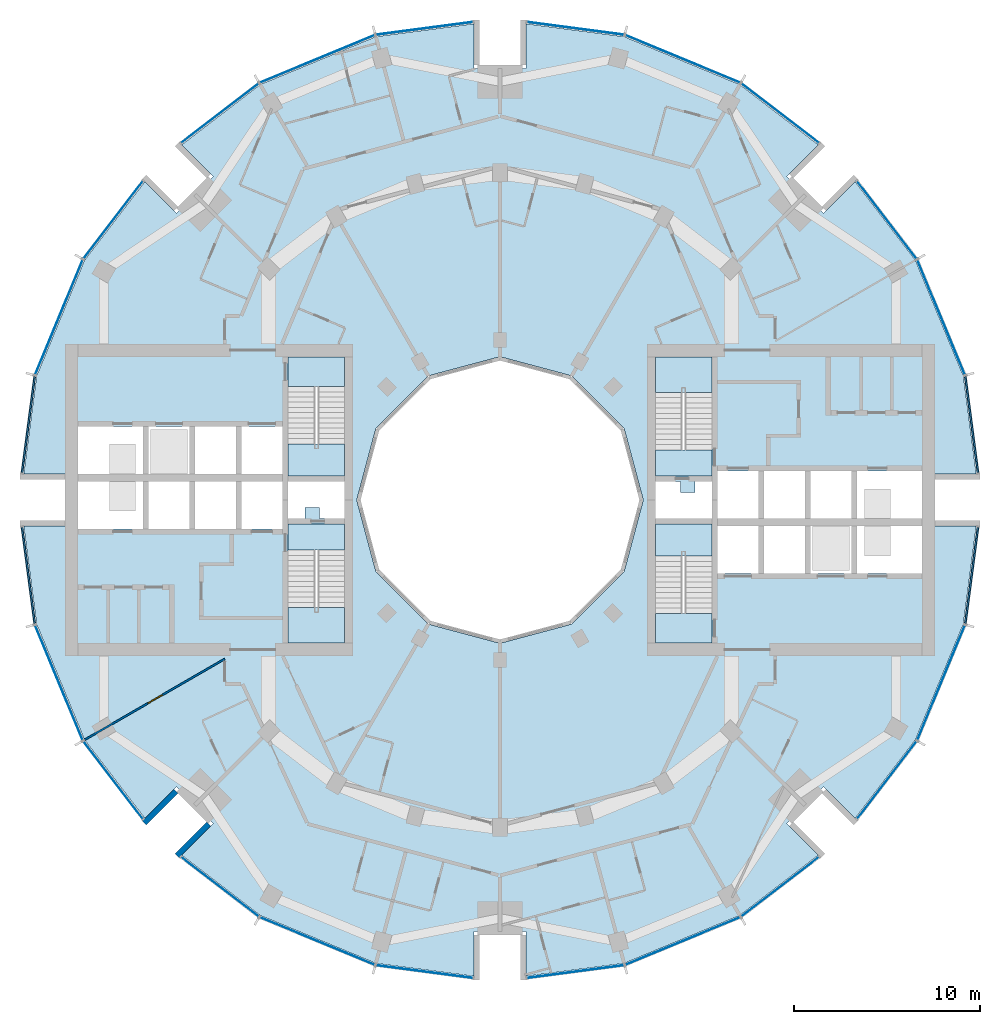
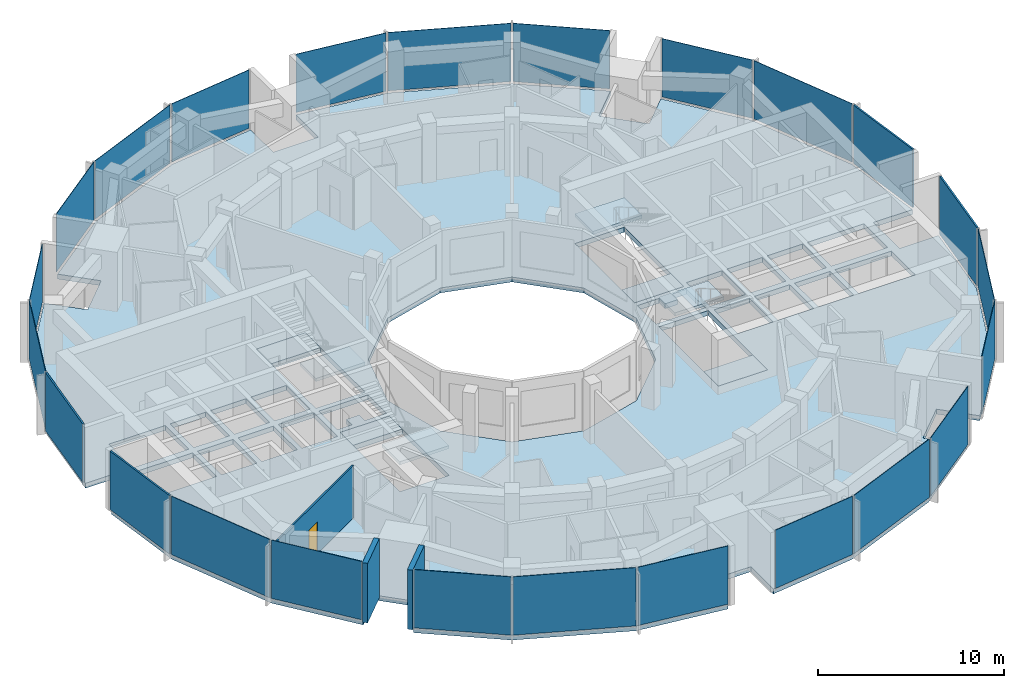
# One storey, part 7 of 15: 24 plates, 9 slabs, 3 walls, 1 door, 1 opening, 28 elements without a shape of their own.
"""IFC4 building model written with IfcOpenShell, lengths in metres."""

from ifc_helpers import new_model, si_unit, direction, frame, frame_2d, origin, origin_2d, place, context, subcontext, project, spatial, polyline, rectangle, outline, extrude, material, layer, layer_set, type_object, element, fill, aggregate, save


model = new_model("IFC4")

# Units and contexts
model_context = context("Model", 3, precision=1e-05, world=origin(), true_north=direction((0.0, 1.0)))
body_context = subcontext(model_context, "Body", "Model", "MODEL_VIEW")
ifc_project = project(units=[si_unit("LENGTHUNIT", "METRE"), si_unit("AREAUNIT", "SQUARE_METRE"), si_unit("VOLUMEUNIT", "CUBIC_METRE"), si_unit("PLANEANGLEUNIT", "RADIAN"), si_unit("MASSUNIT", "GRAM", prefix="KILO")], contexts=[model_context])

# Site, building, storey
site_placement = place(None, origin())
site = spatial("IfcSite", under=ifc_project, at=site_placement, CompositionType="ELEMENT")
building_placement = place(site_placement, origin())
building = spatial("IfcBuilding", under=site, at=building_placement, Name="Torre Brocal", CompositionType="ELEMENT")
storey_placement = place(building_placement, frame((0.0, 0.0, 126.300048828125)))
storey = spatial("IfcBuildingStorey", under=building, at=storey_placement, Name="L29", CompositionType="ELEMENT", Elevation=126.300048828125)

# Curtain wall, plate
ifc_material_1 = material(Name="Aluminium and glass", Category="aluminium")
ifc_layer_1 = layer(ifc_material_1, 0.199951171875)
ifc_layer_set_1 = layer_set([ifc_layer_1], Name="Aluminium and glass")
curtain_wall_type_1 = type_object("IfcCurtainWallType", Name="CW-1 CURTAIN WALL 3900 HIGH", PredefinedType="NOTDEFINED", material=ifc_layer_set_1)
curtain_wall_1_placement = place(storey_placement, origin())
curtain_wall_1 = element("IfcCurtainWall", 1, at=curtain_wall_1_placement, inside=storey, type_object=curtain_wall_type_1, Name="CW-1 RUN 2", PredefinedType="NOTDEFINED")
ifc_material_2 = material(Name="Glass, dark tinted laminated", Category="glass")
ifc_layer_2 = layer(ifc_material_2, 0.031982421875)
ifc_layer_set_2 = layer_set([ifc_layer_2], Name="Glass, dark tinted laminated")
plate_type_1 = type_object("IfcPlateType", Name="CW-1 GLASS PANEL 32", PredefinedType="CURTAIN_PANEL", material=ifc_layer_set_2)
plate_1_placement = place(storey_placement, frame((103.722900390625, 84.826416015625, 0.080078125), z_axis=(0.0, 0.0, 1.0), x_axis=(-0.382683432333, 0.923879532525, 0.0)))
plate_1 = element("IfcPlate", 2, at=plate_1_placement, type_object=plate_type_1, Name="CW1-3 panel 1.1", PredefinedType="CURTAIN_PANEL", context=body_context, shape_type="SweptSolid", body=[
    extrude(rectangle(XDim=6.64111328125, YDim=0.031982421875, at=origin_2d()), origin(), (0.0, 0.0, 1.0), 3.820068359375),
])
aggregate(curtain_wall_1, [plate_1])

curtain_wall_2_placement = place(storey_placement, origin())
curtain_wall_2 = element("IfcCurtainWall", 3, at=curtain_wall_2_placement, inside=storey, type_object=curtain_wall_type_1, Name="CW-1 RUN 3", PredefinedType="NOTDEFINED")
plate_2_placement = place(storey_placement, frame((100.80126953125, 90.0712890625, 0.080078125), z_axis=(0.0, 0.0, 1.0), x_axis=(-0.60876142905, 0.793353340259, 0.0)))
plate_2 = element("IfcPlate", 4, at=plate_2_placement, type_object=plate_type_1, Name="CW1-3 panel 1.1", PredefinedType="CURTAIN_PANEL", context=body_context, shape_type="SweptSolid", body=[
    extrude(rectangle(XDim=5.22900390625, YDim=0.031982421875, at=origin_2d()), origin(), (0.0, 0.0, 1.0), 3.820068359375),
])
aggregate(curtain_wall_2, [plate_2])

curtain_wall_3_placement = place(storey_placement, origin())
curtain_wall_3 = element("IfcCurtainWall", 5, at=curtain_wall_3_placement, inside=storey, type_object=curtain_wall_type_1, Name="CW-1 RUN 4", PredefinedType="NOTDEFINED")
plate_3_placement = place(storey_placement, frame((95.0712890625, 95.80126953125, 0.080078125), z_axis=(0.0, 0.0, 1.0), x_axis=(-0.793353340259, 0.60876142905, 0.0)))
plate_3 = element("IfcPlate", 6, at=plate_3_placement, type_object=plate_type_1, Name="CW1-3 panel 1.1", PredefinedType="CURTAIN_PANEL", context=body_context, shape_type="SweptSolid", body=[
    extrude(rectangle(XDim=5.22900390625, YDim=0.031982421875, at=origin_2d()), origin(), (0.0, 0.0, 1.0), 3.820068359375),
])
aggregate(curtain_wall_3, [plate_3])

curtain_wall_4_placement = place(storey_placement, origin())
curtain_wall_4 = element("IfcCurtainWall", 7, at=curtain_wall_4_placement, inside=storey, type_object=curtain_wall_type_1, Name="CW-1 RUN 5", PredefinedType="NOTDEFINED")
plate_4_placement = place(storey_placement, frame((89.826416015625, 98.722900390625, 0.080078125), z_axis=(0.0, 0.0, 1.0), x_axis=(-0.923879532525, 0.382683432333, 0.0)))
plate_4 = element("IfcPlate", 8, at=plate_4_placement, type_object=plate_type_1, Name="CW1-3 panel 1.1", PredefinedType="CURTAIN_PANEL", context=body_context, shape_type="SweptSolid", body=[
    extrude(rectangle(XDim=6.64111328125, YDim=0.031982421875, at=origin_2d()), origin(), (0.0, 0.0, 1.0), 3.820068359375),
])
aggregate(curtain_wall_4, [plate_4])

curtain_wall_5_placement = place(storey_placement, origin())
curtain_wall_5 = element("IfcCurtainWall", 9, at=curtain_wall_5_placement, inside=storey, type_object=curtain_wall_type_1, Name="CW-1 RUN 6", PredefinedType="NOTDEFINED")
plate_5_placement = place(storey_placement, frame((84.051513671875, 100.36572265625, 0.080078125), z_axis=(0.0, 0.0, 1.0), x_axis=(-0.991444861374, 0.13052619222, 0.0)))
plate_5 = element("IfcPlate", 10, at=plate_5_placement, type_object=plate_type_1, Name="CW1-3 panel 1.1", PredefinedType="CURTAIN_PANEL", context=body_context, shape_type="SweptSolid", body=[
    extrude(rectangle(XDim=5.22900390625, YDim=0.031982421875, at=origin_2d()), origin(), (0.0, 0.0, 1.0), 3.820068359375),
])
aggregate(curtain_wall_5, [plate_5])

curtain_wall_6_placement = place(storey_placement, origin())
curtain_wall_6 = element("IfcCurtainWall", 11, at=curtain_wall_6_placement, inside=storey, type_object=curtain_wall_type_1, Name="CW-1 RUN 7", PredefinedType="NOTDEFINED")
plate_6_placement = place(storey_placement, frame((75.948486328125, 100.36572265625, 0.080078125), z_axis=(0.0, 0.0, 1.0), x_axis=(-0.991444861374, -0.13052619222, 0.0)))
plate_6 = element("IfcPlate", 12, at=plate_6_placement, type_object=plate_type_1, Name="CW1-3 panel 1.1", PredefinedType="CURTAIN_PANEL", context=body_context, shape_type="SweptSolid", body=[
    extrude(rectangle(XDim=5.22900390625, YDim=0.031982421875, at=origin_2d()), origin(), (0.0, 0.0, 1.0), 3.820068359375),
])
aggregate(curtain_wall_6, [plate_6])

curtain_wall_7_placement = place(storey_placement, origin())
curtain_wall_7 = element("IfcCurtainWall", 13, at=curtain_wall_7_placement, inside=storey, type_object=curtain_wall_type_1, Name="CW-1 RUN 8", PredefinedType="NOTDEFINED")
plate_7_placement = place(storey_placement, frame((70.173583984375, 98.722900390625, 0.080078125), z_axis=(0.0, 0.0, 1.0), x_axis=(-0.923879532525, -0.382683432333, 0.0)))
plate_7 = element("IfcPlate", 14, at=plate_7_placement, type_object=plate_type_1, Name="CW1-3 panel 1.1", PredefinedType="CURTAIN_PANEL", context=body_context, shape_type="SweptSolid", body=[
    extrude(rectangle(XDim=6.64111328125, YDim=0.031982421875, at=origin_2d()), origin(), (0.0, 0.0, 1.0), 3.820068359375),
])
aggregate(curtain_wall_7, [plate_7])

curtain_wall_8_placement = place(storey_placement, origin())
curtain_wall_8 = element("IfcCurtainWall", 15, at=curtain_wall_8_placement, inside=storey, type_object=curtain_wall_type_1, Name="CW-1 RUN 9", PredefinedType="NOTDEFINED")
plate_8_placement = place(storey_placement, frame((64.9287109375, 95.80126953125, 0.080078125), z_axis=(0.0, 0.0, 1.0), x_axis=(-0.793353340259, -0.60876142905, 0.0)))
plate_8 = element("IfcPlate", 16, at=plate_8_placement, type_object=plate_type_1, Name="CW1-3 panel 1.1", PredefinedType="CURTAIN_PANEL", context=body_context, shape_type="SweptSolid", body=[
    extrude(rectangle(XDim=5.22900390625, YDim=0.031982421875, at=origin_2d()), origin(), (0.0, 0.0, 1.0), 3.820068359375),
])
aggregate(curtain_wall_8, [plate_8])

curtain_wall_9_placement = place(storey_placement, origin())
curtain_wall_9 = element("IfcCurtainWall", 17, at=curtain_wall_9_placement, inside=storey, type_object=curtain_wall_type_1, Name="CW-1 RUN 10", PredefinedType="NOTDEFINED")
plate_9_placement = place(storey_placement, frame((59.19873046875, 90.0712890625, 0.080078125), z_axis=(0.0, 0.0, 1.0), x_axis=(-0.60876142905, -0.793353340259, 0.0)))
plate_9 = element("IfcPlate", 18, at=plate_9_placement, type_object=plate_type_1, Name="CW1-3 panel 1.1", PredefinedType="CURTAIN_PANEL", context=body_context, shape_type="SweptSolid", body=[
    extrude(rectangle(XDim=5.22900390625, YDim=0.031982421875, at=origin_2d()), origin(), (0.0, 0.0, 1.0), 3.820068359375),
])
aggregate(curtain_wall_9, [plate_9])

curtain_wall_10_placement = place(storey_placement, origin())
curtain_wall_10 = element("IfcCurtainWall", 19, at=curtain_wall_10_placement, inside=storey, type_object=curtain_wall_type_1, Name="CW-1 RUN 11", PredefinedType="NOTDEFINED")
plate_10_placement = place(storey_placement, frame((56.277099609375, 84.826416015625, 0.080078125), z_axis=(0.0, 0.0, 1.0), x_axis=(-0.382683432333, -0.923879532525, 0.0)))
plate_10 = element("IfcPlate", 20, at=plate_10_placement, type_object=plate_type_1, Name="CW1-3 panel 1.1", PredefinedType="CURTAIN_PANEL", context=body_context, shape_type="SweptSolid", body=[
    extrude(rectangle(XDim=6.64111328125, YDim=0.031982421875, at=origin_2d()), origin(), (0.0, 0.0, 1.0), 3.820068359375),
])
aggregate(curtain_wall_10, [plate_10])

curtain_wall_11_placement = place(storey_placement, origin())
curtain_wall_11 = element("IfcCurtainWall", 21, at=curtain_wall_11_placement, inside=storey, type_object=curtain_wall_type_1, Name="CW-1 RUN 14", PredefinedType="NOTDEFINED")
plate_11_placement = place(storey_placement, frame((56.277099609375, 65.173583984375, 0.080078125), z_axis=(0.0, 0.0, 1.0), x_axis=(0.382683432333, -0.923879532525, 0.0)))
plate_11 = element("IfcPlate", 22, at=plate_11_placement, type_object=plate_type_1, Name="CW1-3 panel 1.1", PredefinedType="CURTAIN_PANEL", context=body_context, shape_type="SweptSolid", body=[
    extrude(rectangle(XDim=6.64111328125, YDim=0.031982421875, at=origin_2d()), origin(), (0.0, 0.0, 1.0), 3.820068359375),
])
aggregate(curtain_wall_11, [plate_11])

curtain_wall_12_placement = place(storey_placement, origin())
curtain_wall_12 = element("IfcCurtainWall", 23, at=curtain_wall_12_placement, inside=storey, type_object=curtain_wall_type_1, Name="CW-1 RUN 15", PredefinedType="NOTDEFINED")
plate_12_placement = place(storey_placement, frame((59.19873046875, 59.9287109375, 0.080078125), z_axis=(0.0, 0.0, 1.0), x_axis=(0.60876142905, -0.793353340259, 0.0)))
plate_12 = element("IfcPlate", 24, at=plate_12_placement, type_object=plate_type_1, Name="CW1-3 panel 1.1", PredefinedType="CURTAIN_PANEL", context=body_context, shape_type="SweptSolid", body=[
    extrude(rectangle(XDim=5.22900390625, YDim=0.031982421875, at=origin_2d()), origin(), (0.0, 0.0, 1.0), 3.820068359375),
])
aggregate(curtain_wall_12, [plate_12])

curtain_wall_13_placement = place(storey_placement, origin())
curtain_wall_13 = element("IfcCurtainWall", 25, at=curtain_wall_13_placement, inside=storey, type_object=curtain_wall_type_1, Name="CW-1 RUN 16", PredefinedType="NOTDEFINED")
plate_13_placement = place(storey_placement, frame((64.9287109375, 54.19873046875, 0.080078125), z_axis=(0.0, 0.0, 1.0), x_axis=(0.793353340259, -0.60876142905, 0.0)))
plate_13 = element("IfcPlate", 26, at=plate_13_placement, type_object=plate_type_1, Name="CW1-3 panel 1.1", PredefinedType="CURTAIN_PANEL", context=body_context, shape_type="SweptSolid", body=[
    extrude(rectangle(XDim=5.22900390625, YDim=0.031982421875, at=origin_2d()), origin(), (0.0, 0.0, 1.0), 3.820068359375),
])
aggregate(curtain_wall_13, [plate_13])

curtain_wall_14_placement = place(storey_placement, origin())
curtain_wall_14 = element("IfcCurtainWall", 27, at=curtain_wall_14_placement, inside=storey, type_object=curtain_wall_type_1, Name="CW-1 RUN 17", PredefinedType="NOTDEFINED")
plate_14_placement = place(storey_placement, frame((70.173583984375, 51.277099609375, 0.080078125), z_axis=(0.0, 0.0, 1.0), x_axis=(0.923879532525, -0.382683432333, 0.0)))
plate_14 = element("IfcPlate", 28, at=plate_14_placement, type_object=plate_type_1, Name="CW1-3 panel 1.1", PredefinedType="CURTAIN_PANEL", context=body_context, shape_type="SweptSolid", body=[
    extrude(rectangle(XDim=6.64111328125, YDim=0.031982421875, at=origin_2d()), origin(), (0.0, 0.0, 1.0), 3.820068359375),
])
aggregate(curtain_wall_14, [plate_14])

curtain_wall_15_placement = place(storey_placement, origin())
curtain_wall_15 = element("IfcCurtainWall", 29, at=curtain_wall_15_placement, inside=storey, type_object=curtain_wall_type_1, Name="CW-1 RUN 18", PredefinedType="NOTDEFINED")
plate_15_placement = place(storey_placement, frame((75.948486328125, 49.63427734375, 0.080078125), z_axis=(0.0, 0.0, 1.0), x_axis=(0.991444861374, -0.13052619222, 0.0)))
plate_15 = element("IfcPlate", 30, at=plate_15_placement, type_object=plate_type_1, Name="CW1-3 panel 1.1", PredefinedType="CURTAIN_PANEL", context=body_context, shape_type="SweptSolid", body=[
    extrude(rectangle(XDim=5.22900390625, YDim=0.031982421875, at=origin_2d()), origin(), (0.0, 0.0, 1.0), 3.820068359375),
])
aggregate(curtain_wall_15, [plate_15])

curtain_wall_16_placement = place(storey_placement, origin())
curtain_wall_16 = element("IfcCurtainWall", 31, at=curtain_wall_16_placement, inside=storey, type_object=curtain_wall_type_1, Name="CW-1 RUN 19", PredefinedType="NOTDEFINED")
plate_16_placement = place(storey_placement, frame((84.051513671875, 49.63427734375, 0.080078125), z_axis=(0.0, 0.0, 1.0), x_axis=(0.991444861374, 0.13052619222, 0.0)))
plate_16 = element("IfcPlate", 32, at=plate_16_placement, type_object=plate_type_1, Name="CW1-3 panel 1.1", PredefinedType="CURTAIN_PANEL", context=body_context, shape_type="SweptSolid", body=[
    extrude(rectangle(XDim=5.22900390625, YDim=0.031982421875, at=origin_2d()), origin(), (0.0, 0.0, 1.0), 3.820068359375),
])
aggregate(curtain_wall_16, [plate_16])

curtain_wall_17_placement = place(storey_placement, origin())
curtain_wall_17 = element("IfcCurtainWall", 33, at=curtain_wall_17_placement, inside=storey, type_object=curtain_wall_type_1, Name="CW-1 RUN 20", PredefinedType="NOTDEFINED")
plate_17_placement = place(storey_placement, frame((89.826416015625, 51.277099609375, 0.080078125), z_axis=(0.0, 0.0, 1.0), x_axis=(0.923879532525, 0.382683432333, 0.0)))
plate_17 = element("IfcPlate", 34, at=plate_17_placement, type_object=plate_type_1, Name="CW1-3 panel 1.1", PredefinedType="CURTAIN_PANEL", context=body_context, shape_type="SweptSolid", body=[
    extrude(rectangle(XDim=6.64111328125, YDim=0.031982421875, at=origin_2d()), origin(), (0.0, 0.0, 1.0), 3.820068359375),
])
aggregate(curtain_wall_17, [plate_17])

curtain_wall_18_placement = place(storey_placement, origin())
curtain_wall_18 = element("IfcCurtainWall", 35, at=curtain_wall_18_placement, inside=storey, type_object=curtain_wall_type_1, Name="CW-1 RUN 21", PredefinedType="NOTDEFINED")
plate_18_placement = place(storey_placement, frame((95.0712890625, 54.19873046875, 0.080078125), z_axis=(0.0, 0.0, 1.0), x_axis=(0.793353340259, 0.60876142905, 0.0)))
plate_18 = element("IfcPlate", 36, at=plate_18_placement, type_object=plate_type_1, Name="CW1-3 panel 1.1", PredefinedType="CURTAIN_PANEL", context=body_context, shape_type="SweptSolid", body=[
    extrude(rectangle(XDim=5.22900390625, YDim=0.031982421875, at=origin_2d()), origin(), (0.0, 0.0, 1.0), 3.820068359375),
])
aggregate(curtain_wall_18, [plate_18])

curtain_wall_19_placement = place(storey_placement, origin())
curtain_wall_19 = element("IfcCurtainWall", 37, at=curtain_wall_19_placement, inside=storey, type_object=curtain_wall_type_1, Name="CW-1 RUN 22", PredefinedType="NOTDEFINED")
plate_19_placement = place(storey_placement, frame((100.80126953125, 59.9287109375, 0.080078125), z_axis=(0.0, 0.0, 1.0), x_axis=(0.60876142905, 0.793353340259, 0.0)))
plate_19 = element("IfcPlate", 38, at=plate_19_placement, type_object=plate_type_1, Name="CW1-3 panel 1.1", PredefinedType="CURTAIN_PANEL", context=body_context, shape_type="SweptSolid", body=[
    extrude(rectangle(XDim=5.22900390625, YDim=0.031982421875, at=origin_2d()), origin(), (0.0, 0.0, 1.0), 3.820068359375),
])
aggregate(curtain_wall_19, [plate_19])

curtain_wall_20_placement = place(storey_placement, origin())
curtain_wall_20 = element("IfcCurtainWall", 39, at=curtain_wall_20_placement, inside=storey, type_object=curtain_wall_type_1, Name="CW-1 RUN 23", PredefinedType="NOTDEFINED")
plate_20_placement = place(storey_placement, frame((103.722900390625, 65.173583984375, 0.080078125), z_axis=(0.0, 0.0, 1.0), x_axis=(0.382683432333, 0.923879532525, 0.0)))
plate_20 = element("IfcPlate", 40, at=plate_20_placement, type_object=plate_type_1, Name="CW1-3 panel 1.1", PredefinedType="CURTAIN_PANEL", context=body_context, shape_type="SweptSolid", body=[
    extrude(rectangle(XDim=6.64111328125, YDim=0.031982421875, at=origin_2d()), origin(), (0.0, 0.0, 1.0), 3.820068359375),
])
aggregate(curtain_wall_20, [plate_20])

ifc_material_3 = material(Name="Aluminium and glass", Category="aluminium")
ifc_layer_3 = layer(ifc_material_3, 0.199951171875)
ifc_layer_set_3 = layer_set([ifc_layer_3], Name="Aluminium and glass")
curtain_wall_type_2 = type_object("IfcCurtainWallType", Name="CW-1B CURTAIN WALL 3900 HIGH", PredefinedType="NOTDEFINED", material=ifc_layer_set_3)
curtain_wall_21_placement = place(storey_placement, origin())
curtain_wall_21 = element("IfcCurtainWall", 41, at=curtain_wall_21_placement, inside=storey, type_object=curtain_wall_type_2, Name="CW-1B RUN 1", PredefinedType="NOTDEFINED")
ifc_material_4 = material(Name="Aluminium composite panel", Category="aluminium")
ifc_layer_4 = layer(ifc_material_4, 0.10009765625)
ifc_layer_set_4 = layer_set([ifc_layer_4], Name="Aluminium composite panel")
plate_type_2 = type_object("IfcPlateType", Name="CW-1B OPAQUE PANEL 100", PredefinedType="CURTAIN_PANEL", material=ifc_layer_set_4)
plate_21_placement = place(storey_placement, frame((105.36572265625, 79.051513671875, 0.080078125), z_axis=(0.0, 0.0, 1.0), x_axis=(-0.13052619222, 0.991444861374, 0.0)))
plate_21 = element("IfcPlate", 42, at=plate_21_placement, type_object=plate_type_2, Name="CW1B-3 panel 1.1", PredefinedType="CURTAIN_PANEL", context=body_context, shape_type="SweptSolid", body=[
    extrude(rectangle(XDim=5.22900390625, YDim=0.10009765625, at=origin_2d()), origin(), (0.0, 0.0, 1.0), 3.820068359375),
])
aggregate(curtain_wall_21, [plate_21])

curtain_wall_22_placement = place(storey_placement, origin())
curtain_wall_22 = element("IfcCurtainWall", 43, at=curtain_wall_22_placement, inside=storey, type_object=curtain_wall_type_2, Name="CW-1B RUN 12", PredefinedType="NOTDEFINED")
plate_22_placement = place(storey_placement, frame((54.63427734375, 79.051513671875, 0.080078125), z_axis=(0.0, 0.0, 1.0), x_axis=(-0.13052619222, -0.991444861374, 0.0)))
plate_22 = element("IfcPlate", 44, at=plate_22_placement, type_object=plate_type_2, Name="CW1B-3 panel 1.1", PredefinedType="CURTAIN_PANEL", context=body_context, shape_type="SweptSolid", body=[
    extrude(rectangle(XDim=5.22900390625, YDim=0.10009765625, at=origin_2d()), origin(), (0.0, 0.0, 1.0), 3.820068359375),
])
aggregate(curtain_wall_22, [plate_22])

curtain_wall_23_placement = place(storey_placement, origin())
curtain_wall_23 = element("IfcCurtainWall", 45, at=curtain_wall_23_placement, inside=storey, type_object=curtain_wall_type_2, Name="CW-1B RUN 13", PredefinedType="NOTDEFINED")
plate_23_placement = place(storey_placement, frame((54.63427734375, 70.948486328125, 0.080078125), z_axis=(0.0, 0.0, 1.0), x_axis=(0.13052619222, -0.991444861374, 0.0)))
plate_23 = element("IfcPlate", 46, at=plate_23_placement, type_object=plate_type_2, Name="CW1B-3 panel 1.1", PredefinedType="CURTAIN_PANEL", context=body_context, shape_type="SweptSolid", body=[
    extrude(rectangle(XDim=5.22900390625, YDim=0.10009765625, at=origin_2d()), origin(), (0.0, 0.0, 1.0), 3.820068359375),
])
aggregate(curtain_wall_23, [plate_23])

curtain_wall_24_placement = place(storey_placement, origin())
curtain_wall_24 = element("IfcCurtainWall", 47, at=curtain_wall_24_placement, inside=storey, type_object=curtain_wall_type_2, Name="CW-1B RUN 24", PredefinedType="NOTDEFINED")
plate_24_placement = place(storey_placement, frame((105.36572265625, 70.948486328125, 0.080078125), z_axis=(0.0, 0.0, 1.0), x_axis=(0.13052619222, 0.991444861374, 0.0)))
plate_24 = element("IfcPlate", 48, at=plate_24_placement, type_object=plate_type_2, Name="CW1B-3 panel 1.1", PredefinedType="CURTAIN_PANEL", context=body_context, shape_type="SweptSolid", body=[
    extrude(rectangle(XDim=5.22900390625, YDim=0.10009765625, at=origin_2d()), origin(), (0.0, 0.0, 1.0), 3.820068359375),
])
aggregate(curtain_wall_24, [plate_24])

# Stair, slab
ifc_material_5 = material(Name="Concrete C50", Category="concrete")
stair_type = type_object("IfcStairType", Name="EXIT STAIR", PredefinedType="HALF_TURN_STAIR", material=ifc_material_5)
stair_1_placement = place(storey_placement, origin())
stair_1 = element("IfcStair", 49, at=stair_1_placement, inside=storey, type_object=stair_type, Name="EXIT STAIR ST1", PredefinedType="HALF_TURN_STAIR")
ifc_material_6 = material(Name="Concrete C50", Category="concrete")
ifc_layer_5 = layer(ifc_material_6, 0.320068359375)
ifc_layer_set_5 = layer_set([ifc_layer_5], Name="Concrete C50")
slab_type_1 = type_object("IfcSlabType", Name="FLOOR LANDING 320", PredefinedType="LANDING", material=ifc_layer_set_5)
slab_1_placement = place(storey_placement, frame((0.0, 0.0, -0.320068359375)))
slab_1 = element("IfcSlab", 50, at=slab_1_placement, type_object=slab_type_1, Name="ST1 landing 1", PredefinedType="LANDING", context=body_context, shape_type="SweptSolid", body=[
    extrude(outline(polyline([(88.35009765625, 76.300048828125), (91.39990234375, 76.300048828125), (91.39990234375, 77.699951171875), (88.35009765625, 77.699951171875), (88.35009765625, 76.300048828125)])), origin(), (0.0, 0.0, 1.0), 0.320068359375),
])

stair_2_placement = place(storey_placement, origin())
stair_2 = element("IfcStair", 51, at=stair_2_placement, inside=storey, type_object=stair_type, Name="EXIT STAIR ST2", PredefinedType="HALF_TURN_STAIR")
slab_2_placement = place(storey_placement, frame((0.0, 0.0, -0.320068359375)))
slab_2 = element("IfcSlab", 52, at=slab_2_placement, type_object=slab_type_1, Name="ST2 landing 1", PredefinedType="LANDING", context=body_context, shape_type="SweptSolid", body=[
    extrude(outline(polyline([(88.35009765625, 67.300048828125), (91.39990234375, 67.300048828125), (91.39990234375, 68.89990234375), (88.35009765625, 68.89990234375), (88.35009765625, 67.300048828125)])), origin(), (0.0, 0.0, 1.0), 0.320068359375),
])

stair_3_placement = place(storey_placement, origin())
stair_3 = element("IfcStair", 53, at=stair_3_placement, inside=storey, type_object=stair_type, Name="EXIT STAIR ST3", PredefinedType="HALF_TURN_STAIR")
slab_3_placement = place(storey_placement, frame((0.0, 0.0, -0.320068359375)))
slab_3 = element("IfcSlab", 54, at=slab_3_placement, type_object=slab_type_1, Name="ST3 landing 1", PredefinedType="LANDING", context=body_context, shape_type="SweptSolid", body=[
    extrude(outline(polyline([(71.64990234375, 73.699951171875), (68.60009765625, 73.699951171875), (68.60009765625, 72.300048828125), (71.64990234375, 72.300048828125), (71.64990234375, 73.699951171875)])), origin(), (0.0, 0.0, 1.0), 0.320068359375),
])

stair_4_placement = place(storey_placement, origin())
stair_4 = element("IfcStair", 55, at=stair_4_placement, inside=storey, type_object=stair_type, Name="EXIT STAIR ST4", PredefinedType="HALF_TURN_STAIR")
slab_4_placement = place(storey_placement, frame((0.0, 0.0, -0.320068359375)))
slab_4 = element("IfcSlab", 56, at=slab_4_placement, type_object=slab_type_1, Name="ST4 landing 1", PredefinedType="LANDING", context=body_context, shape_type="SweptSolid", body=[
    extrude(outline(polyline([(71.64990234375, 82.699951171875), (68.60009765625, 82.699951171875), (68.60009765625, 81.10009765625), (71.64990234375, 81.10009765625), (71.64990234375, 82.699951171875)])), origin(), (0.0, 0.0, 1.0), 0.320068359375),
])

# Slab
ifc_material_7 = material(Name="Concrete C50", Category="concrete")
ifc_layer_6 = layer(ifc_material_7, 0.199951171875)
ifc_layer_set_6 = layer_set([ifc_layer_6], Name="Concrete C50")
slab_type_2 = type_object("IfcSlabType", Name="MID LANDING +1950", PredefinedType="LANDING", material=ifc_layer_set_6)
slab_5_placement = place(storey_placement, frame((0.0, 0.0, 1.75)))
slab_5 = element("IfcSlab", 57, at=slab_5_placement, type_object=slab_type_2, Name="ST1 landing 2", PredefinedType="LANDING", context=body_context, shape_type="SweptSolid", body=[
    extrude(outline(polyline([(88.35009765625, 80.780029296875), (91.39990234375, 80.780029296875), (91.39990234375, 82.699951171875), (88.35009765625, 82.699951171875), (88.35009765625, 80.780029296875)])), origin(), (0.0, 0.0, 1.0), 0.199951171875),
])

aggregate(stair_1, [slab_1, slab_5])

slab_6_placement = place(storey_placement, frame((0.0, 0.0, 1.75)))
slab_6 = element("IfcSlab", 58, at=slab_6_placement, type_object=slab_type_2, Name="ST2 landing 2", PredefinedType="LANDING", context=body_context, shape_type="SweptSolid", body=[
    extrude(outline(polyline([(88.35009765625, 71.97998046875), (91.39990234375, 71.97998046875), (91.39990234375, 73.699951171875), (88.35009765625, 73.699951171875), (88.35009765625, 71.97998046875)])), origin(), (0.0, 0.0, 1.0), 0.199951171875),
])

aggregate(stair_2, [slab_2, slab_6])

slab_7_placement = place(storey_placement, frame((0.0, 0.0, 1.75)))
slab_7 = element("IfcSlab", 59, at=slab_7_placement, type_object=slab_type_2, Name="ST3 landing 2", PredefinedType="LANDING", context=body_context, shape_type="SweptSolid", body=[
    extrude(outline(polyline([(71.64990234375, 69.219970703125), (68.60009765625, 69.219970703125), (68.60009765625, 67.300048828125), (71.64990234375, 67.300048828125), (71.64990234375, 69.219970703125)])), origin(), (0.0, 0.0, 1.0), 0.199951171875),
])

aggregate(stair_3, [slab_3, slab_7])

slab_8_placement = place(storey_placement, frame((0.0, 0.0, 1.75)))
slab_8 = element("IfcSlab", 60, at=slab_8_placement, type_object=slab_type_2, Name="ST4 landing 2", PredefinedType="LANDING", context=body_context, shape_type="SweptSolid", body=[
    extrude(outline(polyline([(71.64990234375, 78.02001953125), (68.60009765625, 78.02001953125), (68.60009765625, 76.300048828125), (71.64990234375, 76.300048828125), (71.64990234375, 78.02001953125)])), origin(), (0.0, 0.0, 1.0), 0.199951171875),
])

aggregate(stair_4, [slab_4, slab_8])

ifc_material_8 = material(Name="Concrete C45", Category="concrete")
ifc_layer_7 = layer(ifc_material_8, 0.320068359375)
ifc_layer_set_7 = layer_set([ifc_layer_7], Name="Concrete C45")
slab_type_3 = type_object("IfcSlabType", Name="PT FLOOR SLAB 320 C45", PredefinedType="FLOOR", material=ifc_layer_set_7)
slab_9_placement = place(storey_placement, frame((0.0, 0.0, -0.320068359375)))
element("IfcSlab", 61, at=slab_9_placement, inside=storey, type_object=slab_type_3, Name="Slab ST-05", PredefinedType="FLOOR", context=body_context, shape_type="SweptSolid", body=[
    extrude(outline(polyline([(103.199951171875, 76.39990234375), (103.199951171875, 73.60009765625), (105.614013671875, 73.60009765625), (104.919189453125, 68.322998046875), (102.342041015625, 62.100830078125), (99.101806640625, 57.878173828125), (97.394775390625, 59.5849609375), (95.4150390625, 57.605224609375), (97.121826171875, 55.898193359375), (92.899169921875, 52.657958984375), (86.677001953125, 50.080810546875), (81.39990234375, 49.385986328125), (81.39990234375, 51.800048828125), (78.60009765625, 51.800048828125), (78.60009765625, 49.385986328125), (73.322998046875, 50.080810546875), (67.100830078125, 52.657958984375), (62.878173828125, 55.898193359375), (64.5849609375, 57.605224609375), (62.605224609375, 59.5849609375), (60.898193359375, 57.878173828125), (57.657958984375, 62.100830078125), (55.080810546875, 68.322998046875), (54.385986328125, 73.60009765625), (56.800048828125, 73.60009765625), (56.800048828125, 76.39990234375), (54.385986328125, 76.39990234375), (55.080810546875, 81.677001953125), (57.657958984375, 87.899169921875), (60.898193359375, 92.121826171875), (62.605224609375, 90.4150390625), (64.5849609375, 92.394775390625), (62.878173828125, 94.101806640625), (67.100830078125, 97.342041015625), (73.322998046875, 99.919189453125), (78.60009765625, 100.614013671875), (78.60009765625, 98.199951171875), (81.39990234375, 98.199951171875), (81.39990234375, 100.614013671875), (86.677001953125, 99.919189453125), (92.899169921875, 97.342041015625), (97.121826171875, 94.101806640625), (95.4150390625, 92.394775390625), (97.394775390625, 90.4150390625), (99.101806640625, 92.121826171875), (102.342041015625, 87.899169921875), (104.919189453125, 81.677001953125), (105.614013671875, 76.39990234375), (103.199951171875, 76.39990234375)]), holes=[polyline([(102.699951171875, 74.0), (102.699951171875, 76.550048828125), (99.199951171875, 76.550048828125), (99.199951171875, 74.0), (102.699951171875, 74.0)]), polyline([(102.699951171875, 71.050048828125), (102.699951171875, 73.60009765625), (99.199951171875, 73.60009765625), (99.199951171875, 71.050048828125), (102.699951171875, 71.050048828125)]), polyline([(98.89990234375, 76.550048828125), (96.699951171875, 76.550048828125), (96.699951171875, 74.0), (98.89990234375, 74.0), (98.89990234375, 76.550048828125)]), polyline([(98.89990234375, 71.050048828125), (98.89990234375, 73.60009765625), (96.699951171875, 73.60009765625), (96.699951171875, 71.050048828125), (98.89990234375, 71.050048828125)]), polyline([(96.39990234375, 73.60009765625), (94.199951171875, 73.60009765625), (94.199951171875, 71.050048828125), (96.39990234375, 71.050048828125), (96.39990234375, 73.60009765625)]), polyline([(96.39990234375, 74.0), (96.39990234375, 76.550048828125), (94.199951171875, 76.550048828125), (94.199951171875, 74.0), (96.39990234375, 74.0)]), polyline([(93.89990234375, 73.60009765625), (91.699951171875, 73.60009765625), (91.699951171875, 71.050048828125), (93.89990234375, 71.050048828125), (93.89990234375, 73.60009765625)]), polyline([(93.89990234375, 74.0), (93.89990234375, 76.550048828125), (91.699951171875, 76.550048828125), (91.699951171875, 74.0), (93.89990234375, 74.0)]), polyline([(91.39990234375, 76.300048828125), (91.39990234375, 82.699951171875), (88.35009765625, 82.699951171875), (88.35009765625, 76.300048828125), (91.39990234375, 76.300048828125)]), polyline([(91.39990234375, 73.699951171875), (88.35009765625, 73.699951171875), (88.35009765625, 67.300048828125), (91.39990234375, 67.300048828125), (91.39990234375, 73.699951171875)]), polyline([(89.699951171875, 76.0), (88.35009765625, 76.0), (88.35009765625, 74.0), (91.39990234375, 74.0), (91.39990234375, 76.0), (90.5, 76.0), (90.5, 75.39990234375), (89.699951171875, 75.39990234375), (89.699951171875, 76.0)]), polyline([(80.0, 82.70703125), (76.146484375, 81.674560546875), (73.325439453125, 78.853515625), (72.29296875, 75.0), (73.325439453125, 71.146484375), (76.146484375, 68.325439453125), (80.0, 67.29296875), (83.853515625, 68.325439453125), (86.674560546875, 71.146484375), (87.70703125, 75.0), (86.674560546875, 78.853515625), (83.853515625, 81.674560546875), (80.0, 82.70703125)]), polyline([(68.60009765625, 82.699951171875), (68.60009765625, 76.300048828125), (71.64990234375, 76.300048828125), (71.64990234375, 82.699951171875), (68.60009765625, 82.699951171875)]), polyline([(70.300048828125, 74.0), (71.64990234375, 74.0), (71.64990234375, 76.0), (68.60009765625, 76.0), (68.60009765625, 74.0), (69.5, 74.0), (69.5, 74.60009765625), (70.300048828125, 74.60009765625), (70.300048828125, 74.0)]), polyline([(68.60009765625, 67.300048828125), (71.64990234375, 67.300048828125), (71.64990234375, 73.699951171875), (68.60009765625, 73.699951171875), (68.60009765625, 67.300048828125)]), polyline([(66.10009765625, 78.949951171875), (66.10009765625, 76.39990234375), (68.300048828125, 76.39990234375), (68.300048828125, 78.949951171875), (66.10009765625, 78.949951171875)]), polyline([(66.10009765625, 76.0), (66.10009765625, 73.449951171875), (68.300048828125, 73.449951171875), (68.300048828125, 76.0), (66.10009765625, 76.0)]), polyline([(63.60009765625, 76.0), (63.60009765625, 73.449951171875), (65.800048828125, 73.449951171875), (65.800048828125, 76.0), (63.60009765625, 76.0)]), polyline([(63.60009765625, 76.39990234375), (65.800048828125, 76.39990234375), (65.800048828125, 78.949951171875), (63.60009765625, 78.949951171875), (63.60009765625, 76.39990234375)]), polyline([(61.10009765625, 78.949951171875), (61.10009765625, 76.39990234375), (63.300048828125, 76.39990234375), (63.300048828125, 78.949951171875), (61.10009765625, 78.949951171875)]), polyline([(61.10009765625, 73.449951171875), (63.300048828125, 73.449951171875), (63.300048828125, 76.0), (61.10009765625, 76.0), (61.10009765625, 73.449951171875)]), polyline([(57.300048828125, 73.449951171875), (60.800048828125, 73.449951171875), (60.800048828125, 76.0), (57.300048828125, 76.0), (57.300048828125, 73.449951171875)]), polyline([(57.300048828125, 78.949951171875), (57.300048828125, 76.39990234375), (60.800048828125, 76.39990234375), (60.800048828125, 78.949951171875), (57.300048828125, 78.949951171875)])]), origin(), (0.0, 0.0, 1.0), 0.320068359375),
])

# Walls
ifc_material_9 = material(Name="Concrete C70", Category="concrete")
ifc_layer_8 = layer(ifc_material_9, 0.300048828125)
ifc_layer_set_8 = layer_set([ifc_layer_8], Name="Concrete C70")
wall_type_1 = type_object("IfcWallType", Name="NOTCH RETURN WALL 300 C70", PredefinedType="NOTDEFINED", material=ifc_layer_set_8)
for number, where, z_axis, x_axis, name in (
    (62, (62.56982421875, 59.337646484375, 0.0), (0.0, 0.0, 1.0), (-0.707106781187, -0.707106781187, 0.0), "NOTCH RETURN WALL"),
    (63, (64.337646484375, 57.56982421875, 0.0), (0.0, 0.0, 1.0), (-0.707106781187, -0.707106781187, 0.0), "NOTCH RETURN WALL"),
):
    element("IfcWall", number, at=place(storey_placement, frame(where, z_axis=z_axis, x_axis=x_axis)), inside=storey, type_object=wall_type_1, Name=name, PredefinedType="NOTDEFINED", context=body_context, shape_type="SweptSolid", body=[
        extrude(rectangle(XDim=2.415771484375, YDim=0.300048828125, at=frame_2d((1.2080078125, 0.0))), origin(), (0.0, 0.0, 1.0), 3.89990234375),
    ])

# Wall, opening, door
ifc_material_10 = material(Name="Gypsum board", Category="Gypsum")
ifc_layer_9 = layer(ifc_material_10, 0.10009765625)
ifc_layer_set_9 = layer_set([ifc_layer_9], Name="Gypsum board")
wall_type_2 = type_object("IfcWallType", Name="PARTITION 100", PredefinedType="PARTITIONING", material=ifc_layer_set_9)
wall_placement = place(storey_placement, frame((57.65869140625, 62.10107421875, 0.0), z_axis=(0.0, 0.0, 1.0), x_axis=(0.86602264145, 0.500004784474, 0.0)))
wall = element("IfcWall", 64, at=wall_placement, inside=storey, type_object=wall_type_2, Name="ROOM PARTITION", PredefinedType="PARTITIONING", context=body_context, shape_type="SweptSolid", body=[
    extrude(rectangle(XDim=8.7080078125, YDim=0.10009765625, at=frame_2d((4.35400390625, 0.0))), origin(), (0.0, 0.0, 1.0), 3.449951171875),
])
opening_placement = place(wall_placement, frame((3.928955078125, 0.0, 0.0)))
opening = element("IfcOpeningElement", 65, at=opening_placement, cuts=wall, Name="Opening E02-D40", PredefinedType="OPENING", context=body_context, shape_type="SweptSolid", body=[
    extrude(rectangle(XDim=0.89990234375, YDim=2.10009765625, at=frame_2d((0.449951171875, 1.050048828125))), frame((0.0, 0.06005859375, 0.0), z_axis=(0.0, -1.0, 0.0), x_axis=(1.0, 0.0, 0.0)), (0.0, 0.0, 1.0), 0.1201171875),
])
ifc_material_11 = material(Name="Timber", Category="wood")
door_type = type_object("IfcDoorType", Name="ROOM DOOR 900X2100", OperationType="SINGLE_SWING_LEFT", PredefinedType="DOOR", material=ifc_material_11)
door_placement = place(opening_placement, origin())
door = element("IfcDoor", 66, at=door_placement, inside=storey, type_object=door_type, Name="E02-D40", OperationType="SINGLE_SWING_RIGHT", OverallHeight=2.10009765625, OverallWidth=0.89990234375, PredefinedType="DOOR", context=body_context, shape_type="SweptSolid", body=[
    extrude(rectangle(XDim=0.89990234375, YDim=2.10009765625, at=frame_2d((0.449951171875, 1.050048828125))), frame((0.0, 0.02490234375, 0.0), z_axis=(0.0, -1.0, 0.0), x_axis=(1.0, 0.0, 0.0)), (0.0, 0.0, 1.0), 0.050048828125),
])
fill(opening, door)

save(model, "model.ifc")
